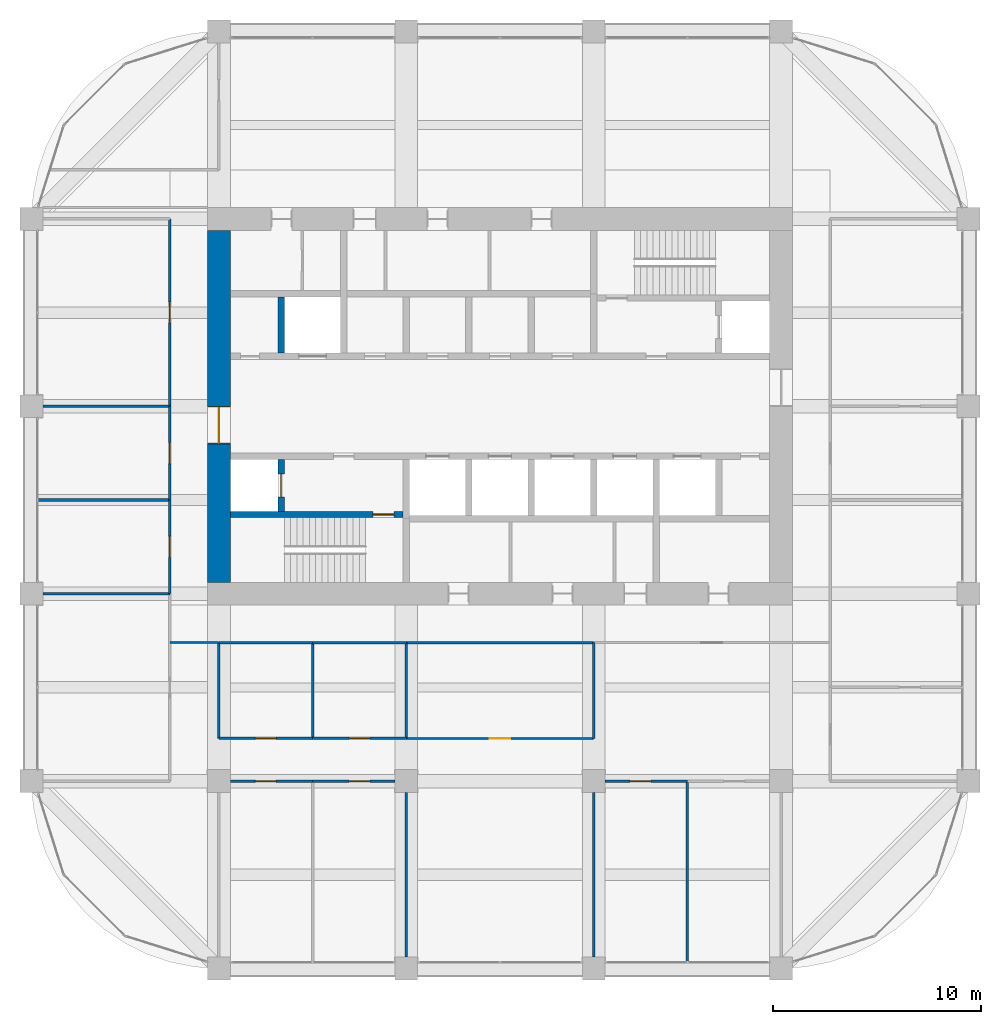
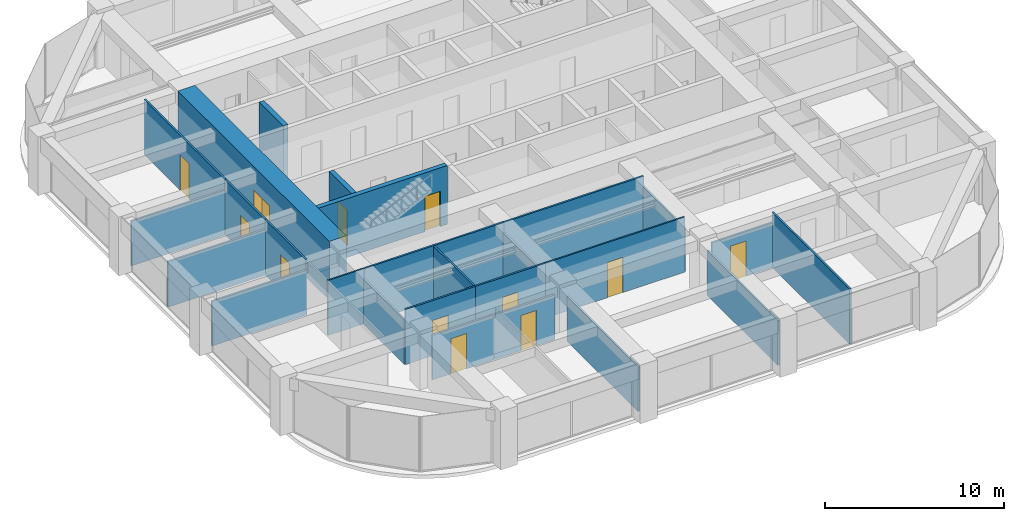
# One storey, part 41 of 45: 27 walls, 12 doors, 12 openings.
"""IFC4 building model written with IfcOpenShell, lengths in metres."""

from ifc_helpers import new_model, si_unit, direction, frame, frame_2d, origin, place, context, subcontext, project, spatial, rectangle, extrude, material, layer, layer_set, type_object, element, fill, save


model = new_model("IFC4")

# Units and contexts
model_context = context("Model", 3, precision=1e-05, world=origin(), true_north=direction((0.0, 1.0)))
body_context = subcontext(model_context, "Body", "Model", "MODEL_VIEW")
ifc_project = project(units=[si_unit("LENGTHUNIT", "METRE"), si_unit("AREAUNIT", "SQUARE_METRE"), si_unit("VOLUMEUNIT", "CUBIC_METRE"), si_unit("PLANEANGLEUNIT", "RADIAN"), si_unit("MASSUNIT", "GRAM", prefix="KILO")], contexts=[model_context])

# Site, building, storey
site_placement = place(None, origin())
site = spatial("IfcSite", under=ifc_project, at=site_placement, CompositionType="ELEMENT")
building_placement = place(site_placement, origin())
building = spatial("IfcBuilding", under=site, at=building_placement, Name="Zorevar Civic Tower", CompositionType="ELEMENT")
storey_placement = place(building_placement, frame((0.0, 0.0, 303.39990234375)))
storey = spatial("IfcBuildingStorey", under=building, at=storey_placement, Name="L74", CompositionType="ELEMENT", Elevation=303.39990234375)

# Wall, opening, door
ifc_material_1 = material(Name="Concrete C50/60", Category="concrete")
ifc_layer_1 = layer(ifc_material_1, 1.10009765625)
ifc_layer_set_1 = layer_set([ifc_layer_1], Name="Core wall 1100")
wall_type_1 = type_object("IfcWallType", Name="Core wall 1100", PredefinedType="SHEAR", material=ifc_layer_set_1)
wall_1_placement = place(storey_placement, frame((18.0, 35.449951171875, 0.0), z_axis=(0.0, 0.0, 1.0), x_axis=(0.0, -1.0, 0.0)))
wall_1 = element("IfcWall", 1, at=wall_1_placement, inside=storey, type_object=wall_type_1, Name="Core wall W L74", PredefinedType="SHEAR", context=body_context, shape_type="SweptSolid", body=[
    extrude(rectangle(XDim=16.89990234375, YDim=1.10009765625, at=frame_2d((8.449951171875, 0.0))), origin(), (0.0, 0.0, 1.0), 4.0),
])
opening_1_placement = place(wall_1_placement, frame((8.449951171875, 0.0, 0.0)))
opening_1 = element("IfcOpeningElement", 2, at=opening_1_placement, cuts=wall_1, Name="Opening L74.01", PredefinedType="OPENING", context=body_context, shape_type="SweptSolid", body=[
    extrude(rectangle(XDim=1.800048828125, YDim=2.39990234375, at=frame_2d((0.89990234375, 1.199951171875))), frame((0.0, 0.56005859375, 0.0), z_axis=(0.0, -1.0, 0.0), x_axis=(1.0, 0.0, 0.0)), (0.0, 0.0, 1.0), 1.1201171875),
])
ifc_material_2 = material(Name="Steel door set", Category="steel")
door_type_1 = type_object("IfcDoorType", Name="Fire door FD2 1800x2400", OperationType="DOUBLE_DOOR_DOUBLE_SWING", PredefinedType="DOOR", material=ifc_material_2)
door_1_placement = place(opening_1_placement, origin())
door_1 = element("IfcDoor", 3, at=door_1_placement, inside=storey, type_object=door_type_1, Name="Door L74 00", OperationType="DOUBLE_DOOR_DOUBLE_SWING", OverallHeight=2.39990234375, OverallWidth=1.800048828125, PredefinedType="DOOR", context=body_context, shape_type="SweptSolid", body=[
    extrude(rectangle(XDim=1.800048828125, YDim=2.39990234375, at=frame_2d((0.89990234375, 1.199951171875))), frame((0.0, 0.030029296875, 0.0), z_axis=(0.0, -1.0, 0.0), x_axis=(1.0, 0.0, 0.0)), (0.0, 0.0, 1.0), 0.06005859375),
    extrude(rectangle(XDim=0.04, YDim=2.39990234375, at=frame_2d((0.02001953125, 1.199951171875))), frame((0.0, 0.5498046875, 0.0), z_axis=(0.0, -1.0, 0.0), x_axis=(1.0, 0.0, 0.0)), (0.0, 0.0, 1.0), 1.099609375),
    extrude(rectangle(XDim=0.04, YDim=2.39990234375, at=frame_2d((1.780029296875, 1.199951171875))), frame((0.0, 0.5498046875, 0.0), z_axis=(0.0, -1.0, 0.0), x_axis=(1.0, 0.0, 0.0)), (0.0, 0.0, 1.0), 1.099609375),
    extrude(rectangle(XDim=1.800048828125, YDim=0.04, at=frame_2d((0.89990234375, 2.3798828125))), frame((0.0, 0.5498046875, 0.0), z_axis=(0.0, -1.0, 0.0), x_axis=(1.0, 0.0, 0.0)), (0.0, 0.0, 1.0), 1.099609375),
])
fill(opening_1, door_1)

ifc_material_3 = material(Name="Laminated glass in black aluminium frame", Category="aluminium")
ifc_layer_2 = layer(ifc_material_3, 0.10009765625)
ifc_layer_set_2 = layer_set([ifc_layer_2], Name="Glazed partition 100")
wall_type_2 = type_object("IfcWallType", Name="Glazed partition 100", PredefinedType="PARTITIONING", material=ifc_layer_set_2)
wall_2_placement = place(storey_placement, frame((27.0, 11.050048828125, 0.0), z_axis=(0.0, 0.0, 1.0), x_axis=(1.0, 0.0, 0.0)))
wall_2 = element("IfcWall", 4, at=wall_2_placement, inside=storey, type_object=wall_type_2, Name="Glazed partition 100 L74", PredefinedType="PARTITIONING", context=body_context, shape_type="SweptSolid", body=[
    extrude(rectangle(XDim=9.0, YDim=0.10009765625, at=frame_2d((4.5, 0.0))), origin(), (0.0, 0.0, 1.0), 3.75),
])
opening_2_placement = place(wall_2_placement, frame((4.0, 0.0, 0.0)))
opening_2 = element("IfcOpeningElement", 5, at=opening_2_placement, cuts=wall_2, Name="Opening L74.23", PredefinedType="OPENING", context=body_context, shape_type="SweptSolid", body=[
    extrude(rectangle(XDim=1.0, YDim=2.39990234375, at=frame_2d((0.5, 1.199951171875))), frame((0.0, 0.06005859375, 0.0), z_axis=(0.0, -1.0, 0.0), x_axis=(1.0, 0.0, 0.0)), (0.0, 0.0, 1.0), 0.1201171875),
])
ifc_material_4 = material(Name="Timber door set", Category="wood")
door_type_2 = type_object("IfcDoorType", Name="Glazed door GD1 1000x2400", OperationType="SINGLE_SWING_LEFT", PredefinedType="DOOR", material=ifc_material_4)
door_2_placement = place(opening_2_placement, origin())
door_2 = element("IfcDoor", 6, at=door_2_placement, inside=storey, type_object=door_type_2, Name="Door L74 D1", OperationType="SINGLE_SWING_LEFT", OverallHeight=2.39990234375, OverallWidth=1.0, PredefinedType="DOOR", context=body_context, shape_type="SweptSolid", body=[
    extrude(rectangle(XDim=1.0, YDim=2.39990234375, at=frame_2d((0.5, 1.199951171875))), frame((0.0, 0.02001953125, 0.0), z_axis=(0.0, -1.0, 0.0), x_axis=(1.0, 0.0, 0.0)), (0.0, 0.0, 1.0), 0.0400390625),
])
fill(opening_2, door_2)

# Wall
wall_3_placement = place(storey_placement, frame((15.659912109375, 15.64990234375, 0.0), z_axis=(0.0, 0.0, 1.0), x_axis=(1.0, 0.0, 0.0)))
element("IfcWall", 7, at=wall_3_placement, inside=storey, type_object=wall_type_2, Name="Glazed partition 100 L74", PredefinedType="PARTITIONING", context=body_context, shape_type="SweptSolid", body=[
    extrude(rectangle(XDim=2.330078125, YDim=0.10009765625, at=frame_2d((1.1650390625, 0.0))), origin(), (0.0, 0.0, 1.0), 3.75),
])

# Wall, opening, door
ifc_material_5 = material(Name="Concrete C40/50", Category="concrete")
ifc_layer_3 = layer(ifc_material_5, 0.300048828125)
ifc_layer_set_3 = layer_set([ifc_layer_3], Name="Inner core wall 300")
wall_type_3 = type_object("IfcWallType", Name="Inner core wall 300", PredefinedType="SHEAR", material=ifc_layer_set_3)
wall_4_placement = place(storey_placement, frame((18.550048828125, 21.800048828125, 0.0), z_axis=(0.0, 0.0, 1.0), x_axis=(1.0, 0.0, 0.0)))
wall_4 = element("IfcWall", 8, at=wall_4_placement, inside=storey, type_object=wall_type_3, Name="Inner core wall S00 L74", PredefinedType="SHEAR", context=body_context, shape_type="SweptSolid", body=[
    extrude(rectangle(XDim=8.300048828125, YDim=0.300048828125, at=frame_2d((4.14990234375, 0.0))), origin(), (0.0, 0.0, 1.0), 4.0),
])
opening_3_placement = place(wall_4_placement, frame((6.85009765625, 0.0, 0.0)))
opening_3 = element("IfcOpeningElement", 9, at=opening_3_placement, cuts=wall_4, Name="Opening L74.11", PredefinedType="OPENING", context=body_context, shape_type="SweptSolid", body=[
    extrude(rectangle(XDim=1.0, YDim=2.39990234375, at=frame_2d((0.5, 1.199951171875))), frame((0.0, 0.159912109375, 0.0), z_axis=(0.0, -1.0, 0.0), x_axis=(1.0, 0.0, 0.0)), (0.0, 0.0, 1.0), 0.320068359375),
])
ifc_material_6 = material(Name="Steel door set", Category="steel")
door_type_3 = type_object("IfcDoorType", Name="Fire door FD1 1000x2400", OperationType="SINGLE_SWING_LEFT", PredefinedType="DOOR", material=ifc_material_6)
door_3_placement = place(opening_3_placement, origin())
door_3 = element("IfcDoor", 10, at=door_3_placement, inside=storey, type_object=door_type_3, Name="Door L74 10", OperationType="SINGLE_SWING_RIGHT", OverallHeight=2.39990234375, OverallWidth=1.0, PredefinedType="DOOR", context=body_context, shape_type="SweptSolid", body=[
    extrude(rectangle(XDim=1.0, YDim=2.39990234375, at=frame_2d((0.5, 1.199951171875))), frame((0.0, 0.030029296875, 0.0), z_axis=(0.0, -1.0, 0.0), x_axis=(1.0, 0.0, 0.0)), (0.0, 0.0, 1.0), 0.06005859375),
])
fill(opening_3, door_3)

wall_5_placement = place(storey_placement, frame((21.0, 21.949951171875, 0.0), z_axis=(0.0, 0.0, 1.0), x_axis=(0.0, 1.0, 0.0)))
wall_5 = element("IfcWall", 11, at=wall_5_placement, inside=storey, type_object=wall_type_3, Name="Inner core wall S02 L74", PredefinedType="SHEAR", context=body_context, shape_type="SweptSolid", body=[
    extrude(rectangle(XDim=2.5, YDim=0.300048828125, at=frame_2d((1.25, 0.0))), origin(), (0.0, 0.0, 1.0), 4.0),
])
opening_4_placement = place(wall_5_placement, frame((0.699951171875, 0.0, 0.0)))
opening_4 = element("IfcOpeningElement", 12, at=opening_4_placement, cuts=wall_5, Name="Opening L74.FL1", PredefinedType="OPENING", context=body_context, shape_type="SweptSolid", body=[
    extrude(rectangle(XDim=1.10009765625, YDim=2.39990234375, at=frame_2d((0.550048828125, 1.199951171875))), frame((0.0, 0.159912109375, 0.0), z_axis=(0.0, -1.0, 0.0), x_axis=(1.0, 0.0, 0.0)), (0.0, 0.0, 1.0), 0.320068359375),
])
ifc_material_7 = material(Name="Steel door set", Category="steel")
door_type_4 = type_object("IfcDoorType", Name="Firefighting lift landing door LD3 1100x2400", OperationType="DOUBLE_DOOR_SLIDING", PredefinedType="DOOR", material=ifc_material_7)
door_4_placement = place(opening_4_placement, origin())
door_4 = element("IfcDoor", 13, at=door_4_placement, inside=storey, type_object=door_type_4, Name="Landing door FL1 L74", OperationType="DOUBLE_DOOR_SLIDING", OverallHeight=2.39990234375, OverallWidth=1.10009765625, PredefinedType="DOOR", context=body_context, shape_type="SweptSolid", body=[
    extrude(rectangle(XDim=1.10009765625, YDim=2.39990234375, at=frame_2d((0.550048828125, 1.199951171875))), frame((0.0, 0.030029296875, 0.0), z_axis=(0.0, -1.0, 0.0), x_axis=(1.0, 0.0, 0.0)), (0.0, 0.0, 1.0), 0.06005859375),
])
fill(opening_4, door_4)

# Wall
wall_6_placement = place(storey_placement, frame((21.0, 29.550048828125, 0.0), z_axis=(0.0, 0.0, 1.0), x_axis=(0.0, 1.0, 0.0)))
element("IfcWall", 14, at=wall_6_placement, inside=storey, type_object=wall_type_3, Name="Inner core wall N09 L74", PredefinedType="SHEAR", context=body_context, shape_type="SweptSolid", body=[
    extrude(rectangle(XDim=2.699951171875, YDim=0.300048828125, at=frame_2d((1.35009765625, 0.0))), origin(), (0.0, 0.0, 1.0), 4.0),
])

# Wall, opening, door
ifc_material_8 = material(Name="Gypsum board on steel studs", Category="steel")
ifc_layer_4 = layer(ifc_material_8, 0.1201171875)
ifc_layer_set_4 = layer_set([ifc_layer_4], Name="Partition 120")
wall_type_4 = type_object("IfcWallType", Name="Partition 120", PredefinedType="PARTITIONING", material=ifc_layer_set_4)
wall_7_placement = place(storey_placement, frame((18.550048828125, 9.0, 0.0), z_axis=(0.0, 0.0, 1.0), x_axis=(1.0, 0.0, 0.0)))
wall_7 = element("IfcWall", 15, at=wall_7_placement, inside=storey, type_object=wall_type_4, Name="Partition 120 L74", PredefinedType="PARTITIONING", context=body_context, shape_type="SweptSolid", body=[
    extrude(rectangle(XDim=3.949951171875, YDim=0.1201171875, at=frame_2d((1.97509765625, 0.0))), origin(), (0.0, 0.0, 1.0), 3.050048828125),
])
opening_5_placement = place(wall_7_placement, frame((1.199951171875, 0.0, 0.0)))
opening_5 = element("IfcOpeningElement", 16, at=opening_5_placement, cuts=wall_7, Name="Opening L74.17", PredefinedType="OPENING", context=body_context, shape_type="SweptSolid", body=[
    extrude(rectangle(XDim=1.0, YDim=2.39990234375, at=frame_2d((0.5, 1.199951171875))), frame((0.0, 0.070068359375, 0.0), z_axis=(0.0, -1.0, 0.0), x_axis=(1.0, 0.0, 0.0)), (0.0, 0.0, 1.0), 0.14013671875),
])
ifc_material_9 = material(Name="Timber door set", Category="wood")
door_type_5 = type_object("IfcDoorType", Name="Door D1 1000x2400", OperationType="SINGLE_SWING_LEFT", PredefinedType="DOOR", material=ifc_material_9)
door_5_placement = place(opening_5_placement, origin())
door_5 = element("IfcDoor", 17, at=door_5_placement, inside=storey, type_object=door_type_5, Name="Door L74 D1", OperationType="SINGLE_SWING_RIGHT", OverallHeight=2.39990234375, OverallWidth=1.0, PredefinedType="DOOR", context=body_context, shape_type="SweptSolid", body=[
    extrude(rectangle(XDim=1.0, YDim=2.39990234375, at=frame_2d((0.5, 1.199951171875))), frame((0.0, 0.02490234375, 0.0), z_axis=(0.0, -1.0, 0.0), x_axis=(1.0, 0.0, 0.0)), (0.0, 0.0, 1.0), 0.050048828125),
])
fill(opening_5, door_5)

wall_8_placement = place(storey_placement, frame((22.5, 9.0, 0.0), z_axis=(0.0, 0.0, 1.0), x_axis=(1.0, 0.0, 0.0)))
wall_8 = element("IfcWall", 18, at=wall_8_placement, inside=storey, type_object=wall_type_4, Name="Partition 120 L74", PredefinedType="PARTITIONING", context=body_context, shape_type="SweptSolid", body=[
    extrude(rectangle(XDim=3.949951171875, YDim=0.1201171875, at=frame_2d((1.97509765625, 0.0))), origin(), (0.0, 0.0, 1.0), 3.050048828125),
])
opening_6_placement = place(wall_8_placement, frame((1.75, 0.0, 0.0)))
opening_6 = element("IfcOpeningElement", 19, at=opening_6_placement, cuts=wall_8, Name="Opening L74.18", PredefinedType="OPENING", context=body_context, shape_type="SweptSolid", body=[
    extrude(rectangle(XDim=1.0, YDim=2.39990234375, at=frame_2d((0.5, 1.199951171875))), frame((0.0, 0.070068359375, 0.0), z_axis=(0.0, -1.0, 0.0), x_axis=(1.0, 0.0, 0.0)), (0.0, 0.0, 1.0), 0.14013671875),
])
door_6_placement = place(opening_6_placement, origin())
door_6 = element("IfcDoor", 20, at=door_6_placement, inside=storey, type_object=door_type_5, Name="Door L74 D1", OperationType="SINGLE_SWING_LEFT", OverallHeight=2.39990234375, OverallWidth=1.0, PredefinedType="DOOR", context=body_context, shape_type="SweptSolid", body=[
    extrude(rectangle(XDim=1.0, YDim=2.39990234375, at=frame_2d((0.5, 1.199951171875))), frame((0.0, 0.02490234375, 0.0), z_axis=(0.0, -1.0, 0.0), x_axis=(1.0, 0.0, 0.0)), (0.0, 0.0, 1.0), 0.050048828125),
])
fill(opening_6, door_6)

wall_9_placement = place(storey_placement, frame((36.550048828125, 9.0, 0.0), z_axis=(0.0, 0.0, 1.0), x_axis=(1.0, 0.0, 0.0)))
wall_9 = element("IfcWall", 21, at=wall_9_placement, inside=storey, type_object=wall_type_4, Name="Partition 120 L74", PredefinedType="PARTITIONING", context=body_context, shape_type="SweptSolid", body=[
    extrude(rectangle(XDim=3.949951171875, YDim=0.1201171875, at=frame_2d((1.97509765625, 0.0))), origin(), (0.0, 0.0, 1.0), 3.050048828125),
])
opening_7_placement = place(wall_9_placement, frame((1.199951171875, 0.0, 0.0)))
opening_7 = element("IfcOpeningElement", 22, at=opening_7_placement, cuts=wall_9, Name="Opening L74.19", PredefinedType="OPENING", context=body_context, shape_type="SweptSolid", body=[
    extrude(rectangle(XDim=1.0, YDim=2.39990234375, at=frame_2d((0.5, 1.199951171875))), frame((0.0, 0.070068359375, 0.0), z_axis=(0.0, -1.0, 0.0), x_axis=(1.0, 0.0, 0.0)), (0.0, 0.0, 1.0), 0.14013671875),
])
door_7_placement = place(opening_7_placement, origin())
door_7 = element("IfcDoor", 23, at=door_7_placement, inside=storey, type_object=door_type_5, Name="Door L74 D1", OperationType="SINGLE_SWING_RIGHT", OverallHeight=2.39990234375, OverallWidth=1.0, PredefinedType="DOOR", context=body_context, shape_type="SweptSolid", body=[
    extrude(rectangle(XDim=1.0, YDim=2.39990234375, at=frame_2d((0.5, 1.199951171875))), frame((0.0, 0.02490234375, 0.0), z_axis=(0.0, -1.0, 0.0), x_axis=(1.0, 0.0, 0.0)), (0.0, 0.0, 1.0), 0.050048828125),
])
fill(opening_7, door_7)

wall_10_placement = place(storey_placement, frame((18.0, 11.050048828125, 0.0), z_axis=(0.0, 0.0, 1.0), x_axis=(1.0, 0.0, 0.0)))
wall_10 = element("IfcWall", 24, at=wall_10_placement, inside=storey, type_object=wall_type_4, Name="Partition 120 L74", PredefinedType="PARTITIONING", context=body_context, shape_type="SweptSolid", body=[
    extrude(rectangle(XDim=4.5, YDim=0.1201171875, at=frame_2d((2.25, 0.0))), origin(), (0.0, 0.0, 1.0), 3.75),
])
opening_8_placement = place(wall_10_placement, frame((1.75, 0.0, 0.0)))
opening_8 = element("IfcOpeningElement", 25, at=opening_8_placement, cuts=wall_10, Name="Opening L74.21", PredefinedType="OPENING", context=body_context, shape_type="SweptSolid", body=[
    extrude(rectangle(XDim=1.0, YDim=2.39990234375, at=frame_2d((0.5, 1.199951171875))), frame((0.0, 0.070068359375, 0.0), z_axis=(0.0, -1.0, 0.0), x_axis=(1.0, 0.0, 0.0)), (0.0, 0.0, 1.0), 0.14013671875),
])
door_8_placement = place(opening_8_placement, origin())
door_8 = element("IfcDoor", 26, at=door_8_placement, inside=storey, type_object=door_type_5, Name="Door L74 D1", OperationType="SINGLE_SWING_LEFT", OverallHeight=2.39990234375, OverallWidth=1.0, PredefinedType="DOOR", context=body_context, shape_type="SweptSolid", body=[
    extrude(rectangle(XDim=1.0, YDim=2.39990234375, at=frame_2d((0.5, 1.199951171875))), frame((0.0, 0.02490234375, 0.0), z_axis=(0.0, -1.0, 0.0), x_axis=(1.0, 0.0, 0.0)), (0.0, 0.0, 1.0), 0.050048828125),
])
fill(opening_8, door_8)

wall_11_placement = place(storey_placement, frame((22.5, 11.050048828125, 0.0), z_axis=(0.0, 0.0, 1.0), x_axis=(1.0, 0.0, 0.0)))
wall_11 = element("IfcWall", 27, at=wall_11_placement, inside=storey, type_object=wall_type_4, Name="Partition 120 L74", PredefinedType="PARTITIONING", context=body_context, shape_type="SweptSolid", body=[
    extrude(rectangle(XDim=4.5, YDim=0.1201171875, at=frame_2d((2.25, 0.0))), origin(), (0.0, 0.0, 1.0), 3.75),
])
opening_9_placement = place(wall_11_placement, frame((1.75, 0.0, 0.0)))
opening_9 = element("IfcOpeningElement", 28, at=opening_9_placement, cuts=wall_11, Name="Opening L74.22", PredefinedType="OPENING", context=body_context, shape_type="SweptSolid", body=[
    extrude(rectangle(XDim=1.0, YDim=2.39990234375, at=frame_2d((0.5, 1.199951171875))), frame((0.0, 0.070068359375, 0.0), z_axis=(0.0, -1.0, 0.0), x_axis=(1.0, 0.0, 0.0)), (0.0, 0.0, 1.0), 0.14013671875),
])
door_9_placement = place(opening_9_placement, origin())
door_9 = element("IfcDoor", 29, at=door_9_placement, inside=storey, type_object=door_type_5, Name="Door L74 D1", OperationType="SINGLE_SWING_LEFT", OverallHeight=2.39990234375, OverallWidth=1.0, PredefinedType="DOOR", context=body_context, shape_type="SweptSolid", body=[
    extrude(rectangle(XDim=1.0, YDim=2.39990234375, at=frame_2d((0.5, 1.199951171875))), frame((0.0, 0.02490234375, 0.0), z_axis=(0.0, -1.0, 0.0), x_axis=(1.0, 0.0, 0.0)), (0.0, 0.0, 1.0), 0.050048828125),
])
fill(opening_9, door_9)

# Walls
wall_12_placement = place(storey_placement, frame((27.0, 15.64990234375, 0.0), z_axis=(0.0, 0.0, 1.0), x_axis=(1.0, 0.0, 0.0)))
element("IfcWall", 30, at=wall_12_placement, inside=storey, type_object=wall_type_4, Name="Partition 120 L74", PredefinedType="PARTITIONING", context=body_context, shape_type="SweptSolid", body=[
    extrude(rectangle(XDim=9.0, YDim=0.1201171875, at=frame_2d((4.5, 0.0))), origin(), (0.0, 0.0, 1.0), 3.75),
])
for number, where, z_axis, x_axis, name in (
    (31, (18.0, 15.64990234375, 0.0), (0.0, 0.0, 1.0), (1.0, 0.0, 0.0), "Partition 120 L74"),
    (32, (22.5, 15.64990234375, 0.0), (0.0, 0.0, 1.0), (1.0, 0.0, 0.0), "Partition 120 L74"),
):
    element("IfcWall", number, at=place(storey_placement, frame(where, z_axis=z_axis, x_axis=x_axis)), inside=storey, type_object=wall_type_4, Name=name, PredefinedType="PARTITIONING", context=body_context, shape_type="SweptSolid", body=[
        extrude(rectangle(XDim=4.5, YDim=0.1201171875, at=frame_2d((2.25, 0.0))), origin(), (0.0, 0.0, 1.0), 3.75),
    ])
wall_13_placement = place(storey_placement, frame((9.550048828125, 18.0, 0.0), z_axis=(0.0, 0.0, 1.0), x_axis=(1.0, 0.0, 0.0)))
element("IfcWall", 33, at=wall_13_placement, inside=storey, type_object=wall_type_4, Name="Partition 120 L74", PredefinedType="PARTITIONING", context=body_context, shape_type="SweptSolid", body=[
    extrude(rectangle(XDim=6.099853515625, YDim=0.1201171875, at=frame_2d((3.0498046875, 0.0))), origin(), (0.0, 0.0, 1.0), 3.050048828125),
])
wall_14_placement = place(storey_placement, frame((9.31005859375, 22.5, 0.0), z_axis=(0.0, 0.0, 1.0), x_axis=(1.0, 0.0, 0.0)))
element("IfcWall", 34, at=wall_14_placement, inside=storey, type_object=wall_type_4, Name="Partition 120 L74", PredefinedType="PARTITIONING", context=body_context, shape_type="SweptSolid", body=[
    extrude(rectangle(XDim=6.33984375, YDim=0.1201171875, at=frame_2d((3.169921875, 0.0))), origin(), (0.0, 0.0, 1.0), 3.10009765625),
])
wall_15_placement = place(storey_placement, frame((9.550048828125, 27.0, 0.0), z_axis=(0.0, 0.0, 1.0), x_axis=(1.0, 0.0, 0.0)))
element("IfcWall", 35, at=wall_15_placement, inside=storey, type_object=wall_type_4, Name="Partition 120 L74", PredefinedType="PARTITIONING", context=body_context, shape_type="SweptSolid", body=[
    extrude(rectangle(XDim=6.099853515625, YDim=0.1201171875, at=frame_2d((3.0498046875, 0.0))), origin(), (0.0, 0.0, 1.0), 3.050048828125),
])

# Wall, opening, door
wall_16_placement = place(storey_placement, frame((15.64990234375, 18.0, 0.0), z_axis=(0.0, 0.0, 1.0), x_axis=(0.0, 1.0, 0.0)))
wall_16 = element("IfcWall", 36, at=wall_16_placement, inside=storey, type_object=wall_type_4, Name="Partition 120 L74", PredefinedType="PARTITIONING", context=body_context, shape_type="SweptSolid", body=[
    extrude(rectangle(XDim=4.5, YDim=0.1201171875, at=frame_2d((2.25, 0.0))), origin(), (0.0, 0.0, 1.0), 3.75),
])
opening_10_placement = place(wall_16_placement, frame((1.75, 0.0, 0.0)))
opening_10 = element("IfcOpeningElement", 37, at=opening_10_placement, cuts=wall_16, Name="Opening L74.28", PredefinedType="OPENING", context=body_context, shape_type="SweptSolid", body=[
    extrude(rectangle(XDim=1.0, YDim=2.39990234375, at=frame_2d((0.5, 1.199951171875))), frame((0.0, 0.070068359375, 0.0), z_axis=(0.0, -1.0, 0.0), x_axis=(1.0, 0.0, 0.0)), (0.0, 0.0, 1.0), 0.14013671875),
])
door_10_placement = place(opening_10_placement, origin())
door_10 = element("IfcDoor", 38, at=door_10_placement, inside=storey, type_object=door_type_5, Name="Door L74 D1", OperationType="SINGLE_SWING_LEFT", OverallHeight=2.39990234375, OverallWidth=1.0, PredefinedType="DOOR", context=body_context, shape_type="SweptSolid", body=[
    extrude(rectangle(XDim=1.0, YDim=2.39990234375, at=frame_2d((0.5, 1.199951171875))), frame((0.0, 0.02490234375, 0.0), z_axis=(0.0, -1.0, 0.0), x_axis=(1.0, 0.0, 0.0)), (0.0, 0.0, 1.0), 0.050048828125),
])
fill(opening_10, door_10)

wall_17_placement = place(storey_placement, frame((15.64990234375, 22.5, 0.0), z_axis=(0.0, 0.0, 1.0), x_axis=(0.0, 1.0, 0.0)))
wall_17 = element("IfcWall", 39, at=wall_17_placement, inside=storey, type_object=wall_type_4, Name="Partition 120 L74", PredefinedType="PARTITIONING", context=body_context, shape_type="SweptSolid", body=[
    extrude(rectangle(XDim=4.5, YDim=0.1201171875, at=frame_2d((2.25, 0.0))), origin(), (0.0, 0.0, 1.0), 3.75),
])
opening_11_placement = place(wall_17_placement, frame((1.75, 0.0, 0.0)))
opening_11 = element("IfcOpeningElement", 40, at=opening_11_placement, cuts=wall_17, Name="Opening L74.29", PredefinedType="OPENING", context=body_context, shape_type="SweptSolid", body=[
    extrude(rectangle(XDim=1.0, YDim=2.39990234375, at=frame_2d((0.5, 1.199951171875))), frame((0.0, 0.070068359375, 0.0), z_axis=(0.0, -1.0, 0.0), x_axis=(1.0, 0.0, 0.0)), (0.0, 0.0, 1.0), 0.14013671875),
])
door_11_placement = place(opening_11_placement, origin())
door_11 = element("IfcDoor", 41, at=door_11_placement, inside=storey, type_object=door_type_5, Name="Door L74 D1", OperationType="SINGLE_SWING_LEFT", OverallHeight=2.39990234375, OverallWidth=1.0, PredefinedType="DOOR", context=body_context, shape_type="SweptSolid", body=[
    extrude(rectangle(XDim=1.0, YDim=2.39990234375, at=frame_2d((0.5, 1.199951171875))), frame((0.0, 0.02490234375, 0.0), z_axis=(0.0, -1.0, 0.0), x_axis=(1.0, 0.0, 0.0)), (0.0, 0.0, 1.0), 0.050048828125),
])
fill(opening_11, door_11)

wall_18_placement = place(storey_placement, frame((15.64990234375, 27.0, 0.0), z_axis=(0.0, 0.0, 1.0), x_axis=(0.0, 1.0, 0.0)))
wall_18 = element("IfcWall", 42, at=wall_18_placement, inside=storey, type_object=wall_type_4, Name="Partition 120 L74", PredefinedType="PARTITIONING", context=body_context, shape_type="SweptSolid", body=[
    extrude(rectangle(XDim=9.0, YDim=0.1201171875, at=frame_2d((4.5, 0.0))), origin(), (0.0, 0.0, 1.0), 3.75),
])
opening_12_placement = place(wall_18_placement, frame((4.0, 0.0, 0.0)))
opening_12 = element("IfcOpeningElement", 43, at=opening_12_placement, cuts=wall_18, Name="Opening L74.30", PredefinedType="OPENING", context=body_context, shape_type="SweptSolid", body=[
    extrude(rectangle(XDim=1.0, YDim=2.39990234375, at=frame_2d((0.5, 1.199951171875))), frame((0.0, 0.070068359375, 0.0), z_axis=(0.0, -1.0, 0.0), x_axis=(1.0, 0.0, 0.0)), (0.0, 0.0, 1.0), 0.14013671875),
])
door_12_placement = place(opening_12_placement, origin())
door_12 = element("IfcDoor", 44, at=door_12_placement, inside=storey, type_object=door_type_5, Name="Door L74 D1", OperationType="SINGLE_SWING_RIGHT", OverallHeight=2.39990234375, OverallWidth=1.0, PredefinedType="DOOR", context=body_context, shape_type="SweptSolid", body=[
    extrude(rectangle(XDim=1.0, YDim=2.39990234375, at=frame_2d((0.5, 1.199951171875))), frame((0.0, 0.02490234375, 0.0), z_axis=(0.0, -1.0, 0.0), x_axis=(1.0, 0.0, 0.0)), (0.0, 0.0, 1.0), 0.050048828125),
])
fill(opening_12, door_12)

# Walls
wall_19_placement = place(storey_placement, frame((18.0, 11.050048828125, 0.0), z_axis=(0.0, 0.0, 1.0), x_axis=(0.0, 1.0, 0.0)))
element("IfcWall", 45, at=wall_19_placement, inside=storey, type_object=wall_type_4, Name="Partition 120 L74", PredefinedType="PARTITIONING", context=body_context, shape_type="SweptSolid", body=[
    extrude(rectangle(XDim=4.599853515625, YDim=0.1201171875, at=frame_2d((2.2998046875, 0.0))), origin(), (0.0, 0.0, 1.0), 3.050048828125),
])
wall_20_placement = place(storey_placement, frame((22.5, 11.050048828125, 0.0), z_axis=(0.0, 0.0, 1.0), x_axis=(0.0, 1.0, 0.0)))
element("IfcWall", 46, at=wall_20_placement, inside=storey, type_object=wall_type_4, Name="Partition 120 L74", PredefinedType="PARTITIONING", context=body_context, shape_type="SweptSolid", body=[
    extrude(rectangle(XDim=4.599853515625, YDim=0.1201171875, at=frame_2d((2.2998046875, 0.0))), origin(), (0.0, 0.0, 1.0), 3.75),
])
wall_21_placement = place(storey_placement, frame((27.0, 0.550048828125, 0.0), z_axis=(0.0, 0.0, 1.0), x_axis=(0.0, 1.0, 0.0)))
element("IfcWall", 47, at=wall_21_placement, inside=storey, type_object=wall_type_4, Name="Partition 120 L74", PredefinedType="PARTITIONING", context=body_context, shape_type="SweptSolid", body=[
    extrude(rectangle(XDim=7.89990234375, YDim=0.1201171875, at=frame_2d((3.949951171875, 0.0))), origin(), (0.0, 0.0, 1.0), 3.050048828125),
])
wall_22_placement = place(storey_placement, frame((27.0, 11.050048828125, 0.0), z_axis=(0.0, 0.0, 1.0), x_axis=(0.0, 1.0, 0.0)))
element("IfcWall", 48, at=wall_22_placement, inside=storey, type_object=wall_type_4, Name="Partition 120 L74", PredefinedType="PARTITIONING", context=body_context, shape_type="SweptSolid", body=[
    extrude(rectangle(XDim=4.599853515625, YDim=0.1201171875, at=frame_2d((2.2998046875, 0.0))), origin(), (0.0, 0.0, 1.0), 3.050048828125),
])
wall_23_placement = place(storey_placement, frame((36.0, 0.550048828125, 0.0), z_axis=(0.0, 0.0, 1.0), x_axis=(0.0, 1.0, 0.0)))
element("IfcWall", 49, at=wall_23_placement, inside=storey, type_object=wall_type_4, Name="Partition 120 L74", PredefinedType="PARTITIONING", context=body_context, shape_type="SweptSolid", body=[
    extrude(rectangle(XDim=7.89990234375, YDim=0.1201171875, at=frame_2d((3.949951171875, 0.0))), origin(), (0.0, 0.0, 1.0), 3.050048828125),
])
wall_24_placement = place(storey_placement, frame((36.0, 11.050048828125, 0.0), z_axis=(0.0, 0.0, 1.0), x_axis=(0.0, 1.0, 0.0)))
element("IfcWall", 50, at=wall_24_placement, inside=storey, type_object=wall_type_4, Name="Partition 120 L74", PredefinedType="PARTITIONING", context=body_context, shape_type="SweptSolid", body=[
    extrude(rectangle(XDim=4.599853515625, YDim=0.1201171875, at=frame_2d((2.2998046875, 0.0))), origin(), (0.0, 0.0, 1.0), 3.050048828125),
])
wall_25_placement = place(storey_placement, frame((40.5, 0.31005859375, 0.0), z_axis=(0.0, 0.0, 1.0), x_axis=(0.0, 1.0, 0.0)))
element("IfcWall", 51, at=wall_25_placement, inside=storey, type_object=wall_type_4, Name="Partition 120 L74", PredefinedType="PARTITIONING", context=body_context, shape_type="SweptSolid", body=[
    extrude(rectangle(XDim=8.68994140625, YDim=0.1201171875, at=frame_2d((4.344970703125, 0.0))), origin(), (0.0, 0.0, 1.0), 3.75),
])

save(model, "model.ifc")
